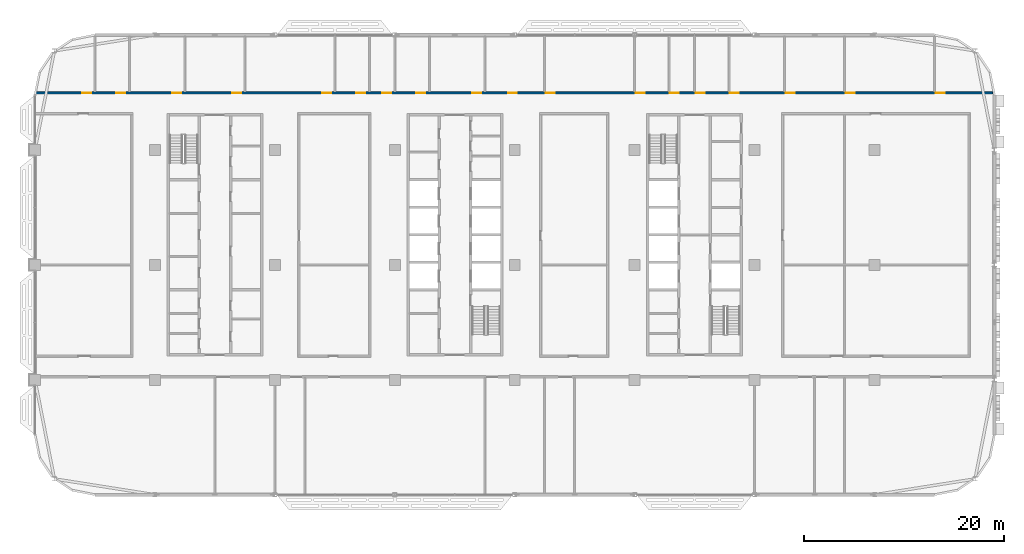
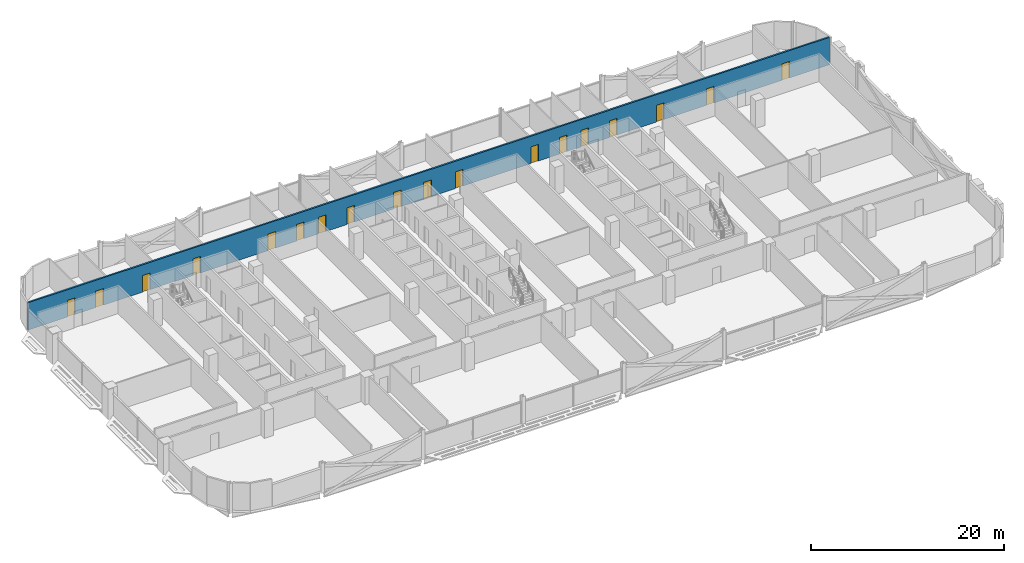
# One storey, part 16 of 30: 18 doors, 1 wall, 18 openings.
"""IFC4 building model written with IfcOpenShell, lengths in metres."""

from ifc_helpers import new_model, si_unit, direction, frame, frame_2d, origin, place, context, subcontext, project, spatial, rectangle, extrude, material, layer, layer_set, type_object, element, fill, save


model = new_model("IFC4")

# Units and contexts
model_context = context("Model", 3, precision=1e-05, world=origin(), true_north=direction((0.0, 1.0)))
body_context = subcontext(model_context, "Body", "Model", "MODEL_VIEW")
ifc_project = project(units=[si_unit("LENGTHUNIT", "METRE"), si_unit("AREAUNIT", "SQUARE_METRE"), si_unit("VOLUMEUNIT", "CUBIC_METRE"), si_unit("PLANEANGLEUNIT", "RADIAN"), si_unit("MASSUNIT", "GRAM", prefix="KILO")], contexts=[model_context])

# Site, building, storey
site_placement = place(None, origin())
site = spatial("IfcSite", under=ifc_project, at=site_placement, CompositionType="ELEMENT")
building_placement = place(site_placement, origin())
building = spatial("IfcBuilding", under=site, at=building_placement, Name="Mahtab Terrace Research Tower", CompositionType="ELEMENT")
storey_placement = place(building_placement, frame((0.0, 0.0, 216.699951171875)))
storey = spatial("IfcBuildingStorey", under=building, at=storey_placement, Name="L52", CompositionType="ELEMENT", Elevation=216.699951171875)

# Wall, openings, doors
ifc_material_1 = material(Name="Gypsum board corridor wall on steel studs", Category="steel")
ifc_layer = layer(ifc_material_1, 0.199951171875)
ifc_layer_set = layer_set([ifc_layer], Name="WALL CORRIDOR 200")
wall_type = type_object("IfcWallType", Name="WALL CORRIDOR 200", PredefinedType="PARTITIONING", material=ifc_layer_set)
wall_placement = place(storey_placement, frame((-41.97509765625, 17.199951171875, 0.0), z_axis=(0.0, 0.0, 1.0), x_axis=(1.0, 0.0, 0.0)))
wall = element("IfcWall", 1, at=wall_placement, inside=storey, type_object=wall_type, Name="L52-W022", PredefinedType="PARTITIONING", context=body_context, shape_type="SweptSolid", body=[
    extrude(rectangle(XDim=95.782470703125, YDim=0.199951171875, at=frame_2d((47.89111328125, 0.0))), origin(), (0.0, 0.0, 1.0), 3.4599609375),
])
opening_1_placement = place(wall_placement, frame((4.699951171875, 0.0, 0.0)))
opening_1 = element("IfcOpeningElement", 2, at=opening_1_placement, cuts=wall, Name="Opening L52-121", PredefinedType="OPENING", context=body_context, shape_type="SweptSolid", body=[
    extrude(rectangle(XDim=0.89990234375, YDim=2.10009765625, at=frame_2d((0.449951171875, 1.050048828125))), frame((0.0, 0.10986328125, 0.0), z_axis=(0.0, -1.0, 0.0), x_axis=(1.0, 0.0, 0.0)), (0.0, 0.0, 1.0), 0.219970703125),
])
opening_2_placement = place(wall_placement, frame((8.10009765625, 0.0, 0.0)))
opening_2 = element("IfcOpeningElement", 3, at=opening_2_placement, cuts=wall, Name="Opening L52-122", PredefinedType="OPENING", context=body_context, shape_type="SweptSolid", body=[
    extrude(rectangle(XDim=0.89990234375, YDim=2.10009765625, at=frame_2d((0.449951171875, 1.050048828125))), frame((0.0, 0.10986328125, 0.0), z_axis=(0.0, -1.0, 0.0), x_axis=(1.0, 0.0, 0.0)), (0.0, 0.0, 1.0), 0.219970703125),
])
opening_3_placement = place(wall_placement, frame((13.699951171875, 0.0, 0.0)))
opening_3 = element("IfcOpeningElement", 4, at=opening_3_placement, cuts=wall, Name="Opening L52-123", PredefinedType="OPENING", context=body_context, shape_type="SweptSolid", body=[
    extrude(rectangle(XDim=0.89990234375, YDim=2.10009765625, at=frame_2d((0.449951171875, 1.050048828125))), frame((0.0, 0.10986328125, 0.0), z_axis=(0.0, -1.0, 0.0), x_axis=(1.0, 0.0, 0.0)), (0.0, 0.0, 1.0), 0.219970703125),
])
opening_4_placement = place(wall_placement, frame((19.699951171875, 0.0, 0.0)))
opening_4 = element("IfcOpeningElement", 5, at=opening_4_placement, cuts=wall, Name="Opening L52-124", PredefinedType="OPENING", context=body_context, shape_type="SweptSolid", body=[
    extrude(rectangle(XDim=0.89990234375, YDim=2.10009765625, at=frame_2d((0.449951171875, 1.050048828125))), frame((0.0, 0.10986328125, 0.0), z_axis=(0.0, -1.0, 0.0), x_axis=(1.0, 0.0, 0.0)), (0.0, 0.0, 1.0), 0.219970703125),
])
opening_5_placement = place(wall_placement, frame((28.699951171875, 0.0, 0.0)))
opening_5 = element("IfcOpeningElement", 6, at=opening_5_placement, cuts=wall, Name="Opening L52-125", PredefinedType="OPENING", context=body_context, shape_type="SweptSolid", body=[
    extrude(rectangle(XDim=0.89990234375, YDim=2.10009765625, at=frame_2d((0.449951171875, 1.050048828125))), frame((0.0, 0.10986328125, 0.0), z_axis=(0.0, -1.0, 0.0), x_axis=(1.0, 0.0, 0.0)), (0.0, 0.0, 1.0), 0.219970703125),
])
opening_6_placement = place(wall_placement, frame((32.10009765625, 0.0, 0.0)))
opening_6 = element("IfcOpeningElement", 7, at=opening_6_placement, cuts=wall, Name="Opening L52-126", PredefinedType="OPENING", context=body_context, shape_type="SweptSolid", body=[
    extrude(rectangle(XDim=0.89990234375, YDim=2.10009765625, at=frame_2d((0.449951171875, 1.050048828125))), frame((0.0, 0.10986328125, 0.0), z_axis=(0.0, -1.0, 0.0), x_axis=(1.0, 0.0, 0.0)), (0.0, 0.0, 1.0), 0.219970703125),
])
opening_7_placement = place(wall_placement, frame((34.699951171875, 0.0, 0.0)))
opening_7 = element("IfcOpeningElement", 8, at=opening_7_placement, cuts=wall, Name="Opening L52-127", PredefinedType="OPENING", context=body_context, shape_type="SweptSolid", body=[
    extrude(rectangle(XDim=0.89990234375, YDim=2.10009765625, at=frame_2d((0.449951171875, 1.050048828125))), frame((0.0, 0.10986328125, 0.0), z_axis=(0.0, -1.0, 0.0), x_axis=(1.0, 0.0, 0.0)), (0.0, 0.0, 1.0), 0.219970703125),
])
opening_8_placement = place(wall_placement, frame((38.10009765625, 0.0, 0.0)))
opening_8 = element("IfcOpeningElement", 9, at=opening_8_placement, cuts=wall, Name="Opening L52-128", PredefinedType="OPENING", context=body_context, shape_type="SweptSolid", body=[
    extrude(rectangle(XDim=0.89990234375, YDim=2.10009765625, at=frame_2d((0.449951171875, 1.050048828125))), frame((0.0, 0.10986328125, 0.0), z_axis=(0.0, -1.0, 0.0), x_axis=(1.0, 0.0, 0.0)), (0.0, 0.0, 1.0), 0.219970703125),
])
opening_9_placement = place(wall_placement, frame((43.699951171875, 0.0, 0.0)))
opening_9 = element("IfcOpeningElement", 10, at=opening_9_placement, cuts=wall, Name="Opening L52-129", PredefinedType="OPENING", context=body_context, shape_type="SweptSolid", body=[
    extrude(rectangle(XDim=0.89990234375, YDim=2.10009765625, at=frame_2d((0.449951171875, 1.050048828125))), frame((0.0, 0.10986328125, 0.0), z_axis=(0.0, -1.0, 0.0), x_axis=(1.0, 0.0, 0.0)), (0.0, 0.0, 1.0), 0.219970703125),
])
opening_10_placement = place(wall_placement, frame((47.300048828125, 0.0, 0.0)))
opening_10 = element("IfcOpeningElement", 11, at=opening_10_placement, cuts=wall, Name="Opening L52-130", PredefinedType="OPENING", context=body_context, shape_type="SweptSolid", body=[
    extrude(rectangle(XDim=0.89990234375, YDim=2.10009765625, at=frame_2d((0.449951171875, 1.050048828125))), frame((0.0, 0.10986328125, 0.0), z_axis=(0.0, -1.0, 0.0), x_axis=(1.0, 0.0, 0.0)), (0.0, 0.0, 1.0), 0.219970703125),
])
opening_11_placement = place(wall_placement, frame((51.10009765625, 0.0, 0.0)))
opening_11 = element("IfcOpeningElement", 12, at=opening_11_placement, cuts=wall, Name="Opening L52-131", PredefinedType="OPENING", context=body_context, shape_type="SweptSolid", body=[
    extrude(rectangle(XDim=0.89990234375, YDim=2.10009765625, at=frame_2d((0.449951171875, 1.050048828125))), frame((0.0, 0.10986328125, 0.0), z_axis=(0.0, -1.0, 0.0), x_axis=(1.0, 0.0, 0.0)), (0.0, 0.0, 1.0), 0.219970703125),
])
opening_12_placement = place(wall_placement, frame((60.10009765625, 0.0, 0.0)))
opening_12 = element("IfcOpeningElement", 13, at=opening_12_placement, cuts=wall, Name="Opening L52-132", PredefinedType="OPENING", context=body_context, shape_type="SweptSolid", body=[
    extrude(rectangle(XDim=0.89990234375, YDim=2.10009765625, at=frame_2d((0.449951171875, 1.050048828125))), frame((0.0, 0.10986328125, 0.0), z_axis=(0.0, -1.0, 0.0), x_axis=(1.0, 0.0, 0.0)), (0.0, 0.0, 1.0), 0.219970703125),
])
opening_13_placement = place(wall_placement, frame((63.5, 0.0, 0.0)))
opening_13 = element("IfcOpeningElement", 14, at=opening_13_placement, cuts=wall, Name="Opening L52-133", PredefinedType="OPENING", context=body_context, shape_type="SweptSolid", body=[
    extrude(rectangle(XDim=0.89990234375, YDim=2.10009765625, at=frame_2d((0.449951171875, 1.050048828125))), frame((0.0, 0.10986328125, 0.0), z_axis=(0.0, -1.0, 0.0), x_axis=(1.0, 0.0, 0.0)), (0.0, 0.0, 1.0), 0.219970703125),
])
opening_14_placement = place(wall_placement, frame((66.10009765625, 0.0, 0.0)))
opening_14 = element("IfcOpeningElement", 15, at=opening_14_placement, cuts=wall, Name="Opening L52-134", PredefinedType="OPENING", context=body_context, shape_type="SweptSolid", body=[
    extrude(rectangle(XDim=0.89990234375, YDim=2.10009765625, at=frame_2d((0.449951171875, 1.050048828125))), frame((0.0, 0.10986328125, 0.0), z_axis=(0.0, -1.0, 0.0), x_axis=(1.0, 0.0, 0.0)), (0.0, 0.0, 1.0), 0.219970703125),
])
opening_15_placement = place(wall_placement, frame((69.5, 0.0, 0.0)))
opening_15 = element("IfcOpeningElement", 16, at=opening_15_placement, cuts=wall, Name="Opening L52-135", PredefinedType="OPENING", context=body_context, shape_type="SweptSolid", body=[
    extrude(rectangle(XDim=0.89990234375, YDim=2.10009765625, at=frame_2d((0.449951171875, 1.050048828125))), frame((0.0, 0.10986328125, 0.0), z_axis=(0.0, -1.0, 0.0), x_axis=(1.0, 0.0, 0.0)), (0.0, 0.0, 1.0), 0.219970703125),
])
opening_16_placement = place(wall_placement, frame((75.10009765625, 0.0, 0.0)))
opening_16 = element("IfcOpeningElement", 17, at=opening_16_placement, cuts=wall, Name="Opening L52-136", PredefinedType="OPENING", context=body_context, shape_type="SweptSolid", body=[
    extrude(rectangle(XDim=0.89990234375, YDim=2.10009765625, at=frame_2d((0.449951171875, 1.050048828125))), frame((0.0, 0.10986328125, 0.0), z_axis=(0.0, -1.0, 0.0), x_axis=(1.0, 0.0, 0.0)), (0.0, 0.0, 1.0), 0.219970703125),
])
opening_17_placement = place(wall_placement, frame((81.10009765625, 0.0, 0.0)))
opening_17 = element("IfcOpeningElement", 18, at=opening_17_placement, cuts=wall, Name="Opening L52-137", PredefinedType="OPENING", context=body_context, shape_type="SweptSolid", body=[
    extrude(rectangle(XDim=0.89990234375, YDim=2.10009765625, at=frame_2d((0.449951171875, 1.050048828125))), frame((0.0, 0.10986328125, 0.0), z_axis=(0.0, -1.0, 0.0), x_axis=(1.0, 0.0, 0.0)), (0.0, 0.0, 1.0), 0.219970703125),
])
opening_18_placement = place(wall_placement, frame((90.10009765625, 0.0, 0.0)))
opening_18 = element("IfcOpeningElement", 19, at=opening_18_placement, cuts=wall, Name="Opening L52-138", PredefinedType="OPENING", context=body_context, shape_type="SweptSolid", body=[
    extrude(rectangle(XDim=0.89990234375, YDim=2.10009765625, at=frame_2d((0.449951171875, 1.050048828125))), frame((0.0, 0.10986328125, 0.0), z_axis=(0.0, -1.0, 0.0), x_axis=(1.0, 0.0, 0.0)), (0.0, 0.0, 1.0), 0.219970703125),
])
ifc_material_2 = material(Name="Timber door leaf in steel frame", Category="steel")
door_type = type_object("IfcDoorType", Name="DOOR 0900X2100 FD30S", OperationType="SINGLE_SWING_LEFT", PredefinedType="DOOR", material=ifc_material_2)
door_1_placement = place(opening_1_placement, origin())
door_1 = element("IfcDoor", 20, at=door_1_placement, inside=storey, type_object=door_type, Name="Door L52-121", OperationType="SINGLE_SWING_LEFT", OverallHeight=2.10009765625, OverallWidth=0.89990234375, PredefinedType="DOOR", context=body_context, shape_type="SweptSolid", body=[
    extrude(rectangle(XDim=0.89990234375, YDim=2.10009765625, at=frame_2d((0.449951171875, 1.050048828125))), frame((0.0, 0.02490234375, 0.0), z_axis=(0.0, -1.0, 0.0), x_axis=(1.0, 0.0, 0.0)), (0.0, 0.0, 1.0), 0.050048828125),
])
fill(opening_1, door_1)
door_2_placement = place(opening_2_placement, origin())
door_2 = element("IfcDoor", 21, at=door_2_placement, inside=storey, type_object=door_type, Name="Door L52-122", OperationType="SINGLE_SWING_LEFT", OverallHeight=2.10009765625, OverallWidth=0.89990234375, PredefinedType="DOOR", context=body_context, shape_type="SweptSolid", body=[
    extrude(rectangle(XDim=0.89990234375, YDim=2.10009765625, at=frame_2d((0.449951171875, 1.050048828125))), frame((0.0, 0.02490234375, 0.0), z_axis=(0.0, -1.0, 0.0), x_axis=(1.0, 0.0, 0.0)), (0.0, 0.0, 1.0), 0.050048828125),
])
fill(opening_2, door_2)
door_3_placement = place(opening_3_placement, origin())
door_3 = element("IfcDoor", 22, at=door_3_placement, inside=storey, type_object=door_type, Name="Door L52-123", OperationType="SINGLE_SWING_LEFT", OverallHeight=2.10009765625, OverallWidth=0.89990234375, PredefinedType="DOOR", context=body_context, shape_type="SweptSolid", body=[
    extrude(rectangle(XDim=0.89990234375, YDim=2.10009765625, at=frame_2d((0.449951171875, 1.050048828125))), frame((0.0, 0.02490234375, 0.0), z_axis=(0.0, -1.0, 0.0), x_axis=(1.0, 0.0, 0.0)), (0.0, 0.0, 1.0), 0.050048828125),
])
fill(opening_3, door_3)
door_4_placement = place(opening_4_placement, origin())
door_4 = element("IfcDoor", 23, at=door_4_placement, inside=storey, type_object=door_type, Name="Door L52-124", OperationType="SINGLE_SWING_LEFT", OverallHeight=2.10009765625, OverallWidth=0.89990234375, PredefinedType="DOOR", context=body_context, shape_type="SweptSolid", body=[
    extrude(rectangle(XDim=0.89990234375, YDim=2.10009765625, at=frame_2d((0.449951171875, 1.050048828125))), frame((0.0, 0.02490234375, 0.0), z_axis=(0.0, -1.0, 0.0), x_axis=(1.0, 0.0, 0.0)), (0.0, 0.0, 1.0), 0.050048828125),
])
fill(opening_4, door_4)
door_5_placement = place(opening_5_placement, origin())
door_5 = element("IfcDoor", 24, at=door_5_placement, inside=storey, type_object=door_type, Name="Door L52-125", OperationType="SINGLE_SWING_LEFT", OverallHeight=2.10009765625, OverallWidth=0.89990234375, PredefinedType="DOOR", context=body_context, shape_type="SweptSolid", body=[
    extrude(rectangle(XDim=0.89990234375, YDim=2.10009765625, at=frame_2d((0.449951171875, 1.050048828125))), frame((0.0, 0.02490234375, 0.0), z_axis=(0.0, -1.0, 0.0), x_axis=(1.0, 0.0, 0.0)), (0.0, 0.0, 1.0), 0.050048828125),
])
fill(opening_5, door_5)
door_6_placement = place(opening_6_placement, origin())
door_6 = element("IfcDoor", 25, at=door_6_placement, inside=storey, type_object=door_type, Name="Door L52-126", OperationType="SINGLE_SWING_LEFT", OverallHeight=2.10009765625, OverallWidth=0.89990234375, PredefinedType="DOOR", context=body_context, shape_type="SweptSolid", body=[
    extrude(rectangle(XDim=0.89990234375, YDim=2.10009765625, at=frame_2d((0.449951171875, 1.050048828125))), frame((0.0, 0.02490234375, 0.0), z_axis=(0.0, -1.0, 0.0), x_axis=(1.0, 0.0, 0.0)), (0.0, 0.0, 1.0), 0.050048828125),
])
fill(opening_6, door_6)
door_7_placement = place(opening_7_placement, origin())
door_7 = element("IfcDoor", 26, at=door_7_placement, inside=storey, type_object=door_type, Name="Door L52-127", OperationType="SINGLE_SWING_LEFT", OverallHeight=2.10009765625, OverallWidth=0.89990234375, PredefinedType="DOOR", context=body_context, shape_type="SweptSolid", body=[
    extrude(rectangle(XDim=0.89990234375, YDim=2.10009765625, at=frame_2d((0.449951171875, 1.050048828125))), frame((0.0, 0.02490234375, 0.0), z_axis=(0.0, -1.0, 0.0), x_axis=(1.0, 0.0, 0.0)), (0.0, 0.0, 1.0), 0.050048828125),
])
fill(opening_7, door_7)
door_8_placement = place(opening_8_placement, origin())
door_8 = element("IfcDoor", 27, at=door_8_placement, inside=storey, type_object=door_type, Name="Door L52-128", OperationType="SINGLE_SWING_LEFT", OverallHeight=2.10009765625, OverallWidth=0.89990234375, PredefinedType="DOOR", context=body_context, shape_type="SweptSolid", body=[
    extrude(rectangle(XDim=0.89990234375, YDim=2.10009765625, at=frame_2d((0.449951171875, 1.050048828125))), frame((0.0, 0.02490234375, 0.0), z_axis=(0.0, -1.0, 0.0), x_axis=(1.0, 0.0, 0.0)), (0.0, 0.0, 1.0), 0.050048828125),
])
fill(opening_8, door_8)
door_9_placement = place(opening_9_placement, origin())
door_9 = element("IfcDoor", 28, at=door_9_placement, inside=storey, type_object=door_type, Name="Door L52-129", OperationType="SINGLE_SWING_LEFT", OverallHeight=2.10009765625, OverallWidth=0.89990234375, PredefinedType="DOOR", context=body_context, shape_type="SweptSolid", body=[
    extrude(rectangle(XDim=0.89990234375, YDim=2.10009765625, at=frame_2d((0.449951171875, 1.050048828125))), frame((0.0, 0.02490234375, 0.0), z_axis=(0.0, -1.0, 0.0), x_axis=(1.0, 0.0, 0.0)), (0.0, 0.0, 1.0), 0.050048828125),
])
fill(opening_9, door_9)
door_10_placement = place(opening_10_placement, origin())
door_10 = element("IfcDoor", 29, at=door_10_placement, inside=storey, type_object=door_type, Name="Door L52-130", OperationType="SINGLE_SWING_LEFT", OverallHeight=2.10009765625, OverallWidth=0.89990234375, PredefinedType="DOOR", context=body_context, shape_type="SweptSolid", body=[
    extrude(rectangle(XDim=0.89990234375, YDim=2.10009765625, at=frame_2d((0.449951171875, 1.050048828125))), frame((0.0, 0.02490234375, 0.0), z_axis=(0.0, -1.0, 0.0), x_axis=(1.0, 0.0, 0.0)), (0.0, 0.0, 1.0), 0.050048828125),
])
fill(opening_10, door_10)
door_11_placement = place(opening_11_placement, origin())
door_11 = element("IfcDoor", 30, at=door_11_placement, inside=storey, type_object=door_type, Name="Door L52-131", OperationType="SINGLE_SWING_RIGHT", OverallHeight=2.10009765625, OverallWidth=0.89990234375, PredefinedType="DOOR", context=body_context, shape_type="SweptSolid", body=[
    extrude(rectangle(XDim=0.89990234375, YDim=2.10009765625, at=frame_2d((0.449951171875, 1.050048828125))), frame((0.0, 0.02490234375, 0.0), z_axis=(0.0, -1.0, 0.0), x_axis=(1.0, 0.0, 0.0)), (0.0, 0.0, 1.0), 0.050048828125),
])
fill(opening_11, door_11)
door_12_placement = place(opening_12_placement, origin())
door_12 = element("IfcDoor", 31, at=door_12_placement, inside=storey, type_object=door_type, Name="Door L52-132", OperationType="SINGLE_SWING_RIGHT", OverallHeight=2.10009765625, OverallWidth=0.89990234375, PredefinedType="DOOR", context=body_context, shape_type="SweptSolid", body=[
    extrude(rectangle(XDim=0.89990234375, YDim=2.10009765625, at=frame_2d((0.449951171875, 1.050048828125))), frame((0.0, 0.02490234375, 0.0), z_axis=(0.0, -1.0, 0.0), x_axis=(1.0, 0.0, 0.0)), (0.0, 0.0, 1.0), 0.050048828125),
])
fill(opening_12, door_12)
door_13_placement = place(opening_13_placement, origin())
door_13 = element("IfcDoor", 32, at=door_13_placement, inside=storey, type_object=door_type, Name="Door L52-133", OperationType="SINGLE_SWING_RIGHT", OverallHeight=2.10009765625, OverallWidth=0.89990234375, PredefinedType="DOOR", context=body_context, shape_type="SweptSolid", body=[
    extrude(rectangle(XDim=0.89990234375, YDim=2.10009765625, at=frame_2d((0.449951171875, 1.050048828125))), frame((0.0, 0.02490234375, 0.0), z_axis=(0.0, -1.0, 0.0), x_axis=(1.0, 0.0, 0.0)), (0.0, 0.0, 1.0), 0.050048828125),
])
fill(opening_13, door_13)
door_14_placement = place(opening_14_placement, origin())
door_14 = element("IfcDoor", 33, at=door_14_placement, inside=storey, type_object=door_type, Name="Door L52-134", OperationType="SINGLE_SWING_RIGHT", OverallHeight=2.10009765625, OverallWidth=0.89990234375, PredefinedType="DOOR", context=body_context, shape_type="SweptSolid", body=[
    extrude(rectangle(XDim=0.89990234375, YDim=2.10009765625, at=frame_2d((0.449951171875, 1.050048828125))), frame((0.0, 0.02490234375, 0.0), z_axis=(0.0, -1.0, 0.0), x_axis=(1.0, 0.0, 0.0)), (0.0, 0.0, 1.0), 0.050048828125),
])
fill(opening_14, door_14)
door_15_placement = place(opening_15_placement, origin())
door_15 = element("IfcDoor", 34, at=door_15_placement, inside=storey, type_object=door_type, Name="Door L52-135", OperationType="SINGLE_SWING_RIGHT", OverallHeight=2.10009765625, OverallWidth=0.89990234375, PredefinedType="DOOR", context=body_context, shape_type="SweptSolid", body=[
    extrude(rectangle(XDim=0.89990234375, YDim=2.10009765625, at=frame_2d((0.449951171875, 1.050048828125))), frame((0.0, 0.02490234375, 0.0), z_axis=(0.0, -1.0, 0.0), x_axis=(1.0, 0.0, 0.0)), (0.0, 0.0, 1.0), 0.050048828125),
])
fill(opening_15, door_15)
door_16_placement = place(opening_16_placement, origin())
door_16 = element("IfcDoor", 35, at=door_16_placement, inside=storey, type_object=door_type, Name="Door L52-136", OperationType="SINGLE_SWING_RIGHT", OverallHeight=2.10009765625, OverallWidth=0.89990234375, PredefinedType="DOOR", context=body_context, shape_type="SweptSolid", body=[
    extrude(rectangle(XDim=0.89990234375, YDim=2.10009765625, at=frame_2d((0.449951171875, 1.050048828125))), frame((0.0, 0.02490234375, 0.0), z_axis=(0.0, -1.0, 0.0), x_axis=(1.0, 0.0, 0.0)), (0.0, 0.0, 1.0), 0.050048828125),
])
fill(opening_16, door_16)
door_17_placement = place(opening_17_placement, origin())
door_17 = element("IfcDoor", 36, at=door_17_placement, inside=storey, type_object=door_type, Name="Door L52-137", OperationType="SINGLE_SWING_RIGHT", OverallHeight=2.10009765625, OverallWidth=0.89990234375, PredefinedType="DOOR", context=body_context, shape_type="SweptSolid", body=[
    extrude(rectangle(XDim=0.89990234375, YDim=2.10009765625, at=frame_2d((0.449951171875, 1.050048828125))), frame((0.0, 0.02490234375, 0.0), z_axis=(0.0, -1.0, 0.0), x_axis=(1.0, 0.0, 0.0)), (0.0, 0.0, 1.0), 0.050048828125),
])
fill(opening_17, door_17)
door_18_placement = place(opening_18_placement, origin())
door_18 = element("IfcDoor", 37, at=door_18_placement, inside=storey, type_object=door_type, Name="Door L52-138", OperationType="SINGLE_SWING_RIGHT", OverallHeight=2.10009765625, OverallWidth=0.89990234375, PredefinedType="DOOR", context=body_context, shape_type="SweptSolid", body=[
    extrude(rectangle(XDim=0.89990234375, YDim=2.10009765625, at=frame_2d((0.449951171875, 1.050048828125))), frame((0.0, 0.02490234375, 0.0), z_axis=(0.0, -1.0, 0.0), x_axis=(1.0, 0.0, 0.0)), (0.0, 0.0, 1.0), 0.050048828125),
])
fill(opening_18, door_18)

save(model, "model.ifc")
